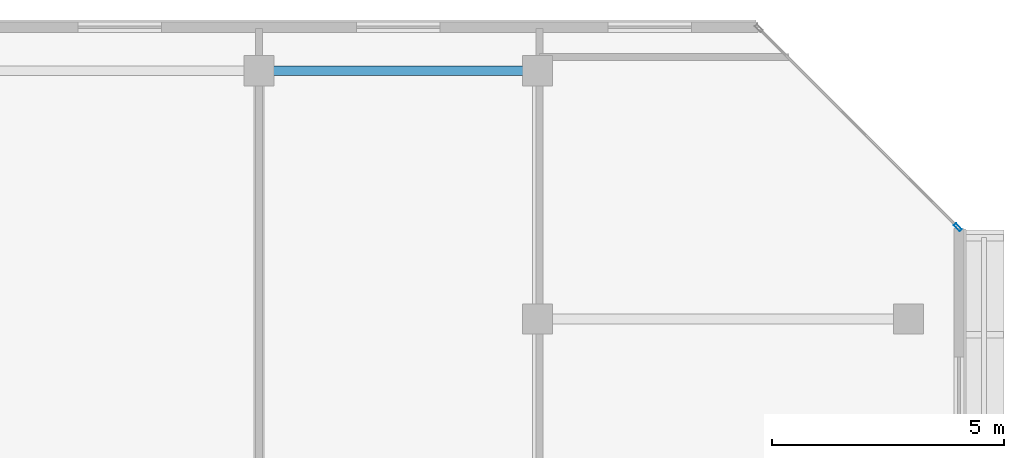
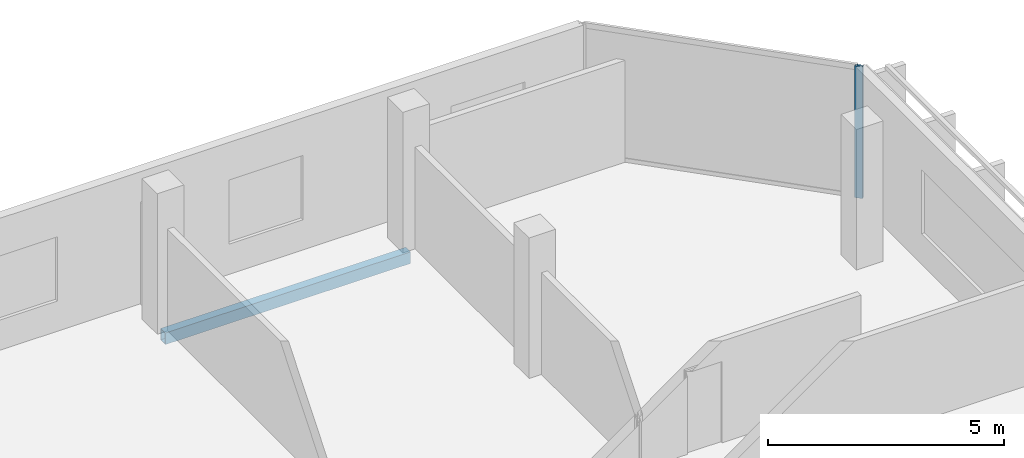
# One storey, part 18 of 28: 1 beam, 1 member, 1 element without a shape of its own.
"""IFC4 building model written with IfcOpenShell, lengths in metres."""

from ifc_helpers import new_model, si_unit, direction, frame, origin, origin_2d, place, context, subcontext, project, spatial, hollow_rectangle, extrude, material, layer, layer_set, material_profile, profile_set, type_object, element, aggregate, save


model = new_model("IFC4")

# Units and contexts
model_context = context("Model", 3, precision=1e-05, world=origin(), true_north=direction((0.0, 1.0)))
body_context = subcontext(model_context, "Body", "Model", "MODEL_VIEW")
ifc_project = project(units=[si_unit("LENGTHUNIT", "METRE"), si_unit("AREAUNIT", "SQUARE_METRE"), si_unit("VOLUMEUNIT", "CUBIC_METRE"), si_unit("PLANEANGLEUNIT", "RADIAN"), si_unit("MASSUNIT", "GRAM", prefix="KILO")], contexts=[model_context])

# Site, building, storey
site_placement = place(None, origin())
site = spatial("IfcSite", under=ifc_project, at=site_placement, CompositionType="ELEMENT")
building_placement = place(site_placement, origin())
building = spatial("IfcBuilding", under=site, at=building_placement, Name="Tanjung Sevakor Pilgrim Tower", CompositionType="ELEMENT")
storey_placement = place(building_placement, frame((0.0, 0.0, 246.179931640625)))
storey = spatial("IfcBuildingStorey", under=building, at=storey_placement, Name="L69", CompositionType="ELEMENT", Elevation=246.179931640625)

# Beam
ifc_material_1 = material(Name="Steel S355J2", Category="steel")
ifc_material_profile_1 = material_profile(ifc_material_1, hollow_rectangle(XDim=0.199951171875, YDim=0.300048828125, WallThickness=0.012451171875, at=origin_2d()))
ifc_profile_set_1 = profile_set([ifc_material_profile_1], Name="Steel S355J2")
beam_type = type_object("IfcBeamType", Name="BM-B-SP3-RHS_300x200x12.5", PredefinedType="SPANDREL", material=ifc_profile_set_1)
beam_placement = place(storey_placement, frame((84.0, 53.949951171875, -0.369873046875), z_axis=(1.0, 0.0, 0.0), x_axis=(0.0, 1.0, 0.0)))
element("IfcBeam", 1, at=beam_placement, inside=storey, type_object=beam_type, Name="L69 Spandrel EAST N-06", PredefinedType="SPANDREL", context=body_context, shape_type="SweptSolid", body=[
    extrude(hollow_rectangle(XDim=0.199951171875, YDim=0.300048828125, WallThickness=0.012451171875, at=origin_2d()), origin(), (0.0, 0.0, 1.0), 6.0),
])

# Curtain wall, member
ifc_material_2 = material(Name="Aluminium 6063-T6 and Low-E Glass", Category="aluminium")
ifc_layer = layer(ifc_material_2, 0.179931640625)
ifc_layer_set = layer_set([ifc_layer], Name="CW-SYS-CHAM")
curtain_wall_type = type_object("IfcCurtainWallType", Name="CW-SYS-CHAM", PredefinedType="NOTDEFINED", material=ifc_layer_set)
curtain_wall_placement = place(storey_placement, origin())
curtain_wall = element("IfcCurtainWall", 2, at=curtain_wall_placement, inside=storey, type_object=curtain_wall_type, Name="L69 Curtain Wall CW-CHM-L69-EAST-3", PredefinedType="NOTDEFINED")
ifc_material_3 = material(Name="Aluminium 6063-T6", Category="aluminium")
ifc_material_profile_2 = material_profile(ifc_material_3, hollow_rectangle(XDim=0.06494140625, YDim=0.179931640625, WallThickness=0.00390625, at=origin_2d()))
ifc_profile_set_2 = profile_set([ifc_material_profile_2], Name="Aluminium 6063-T6")
member_type = type_object("IfcMemberType", Name="TYPE-CWM-1", PredefinedType="MULLION", material=ifc_profile_set_2)
member_placement = place(storey_placement, frame((99.067138671875, 50.577392578125, 0.0), z_axis=(0.0, 0.0, 1.0), x_axis=(-0.707106781187, -0.707106781187, 0.0)))
member = element("IfcMember", 3, at=member_placement, type_object=member_type, Name="CW-CHM mullion 1", PredefinedType="MULLION", context=body_context, shape_type="SweptSolid", body=[
    extrude(hollow_rectangle(XDim=0.06494140625, YDim=0.179931640625, WallThickness=0.00390625, at=origin_2d()), origin(), (0.0, 0.0, 1.0), 3.41015625),
])
aggregate(curtain_wall, [member])

save(model, "model.ifc")
